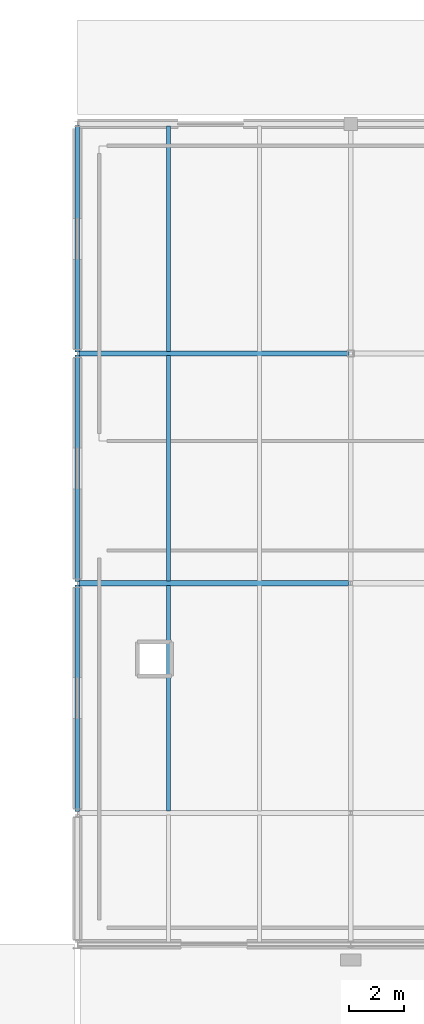
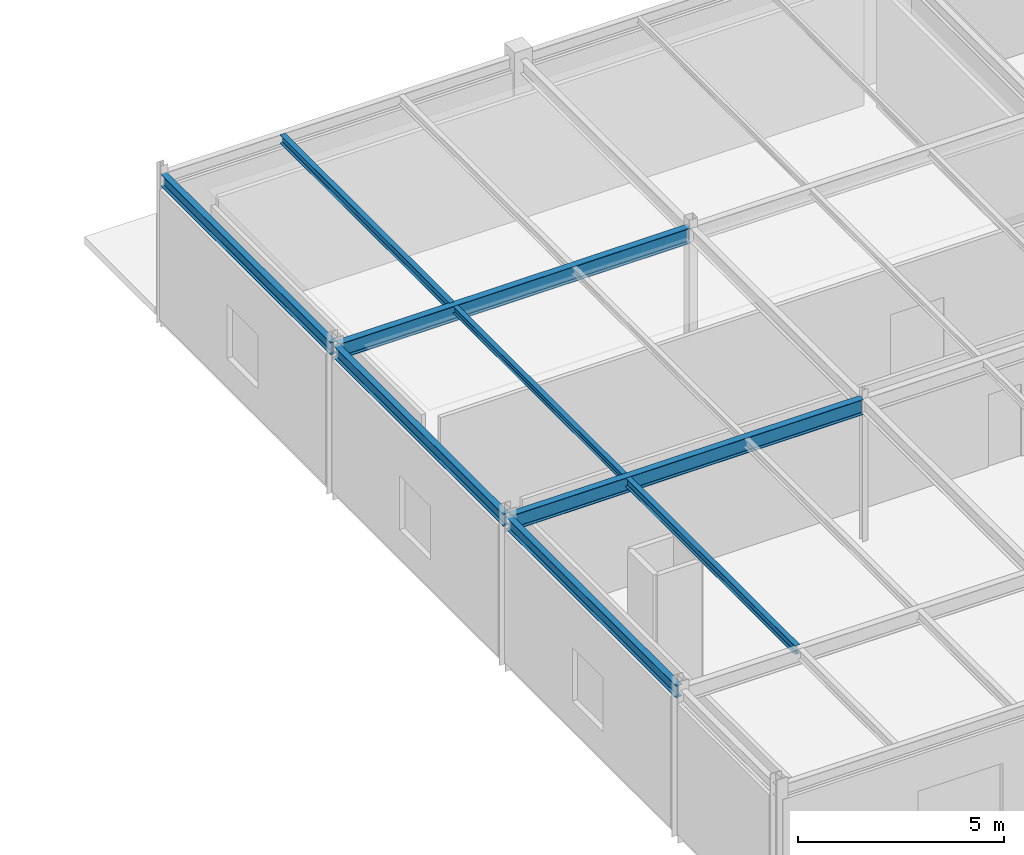
# One storey, part 59 of 119: 8 beams.
"""IFC4 building model written with IfcOpenShell, lengths in metres."""

from ifc_helpers import new_model, si_unit, derived_unit, direction, frame, origin, origin_2d_with_axis, place, context, subcontext, project, spatial, i_section, extrude, material, material_profile, profile_set, type_object, element, save


model = new_model("IFC4")

# Units and contexts
model_context = context("Model", 3, precision=1e-05, world=origin(), true_north=direction((0.0, 1.0)))
body_context = subcontext(model_context, "Body", "Model", "MODEL_VIEW")
ifc_project = project(units=[si_unit("LENGTHUNIT", "METRE"), si_unit("AREAUNIT", "SQUARE_METRE"), si_unit("VOLUMEUNIT", "CUBIC_METRE"), si_unit("PLANEANGLEUNIT", "RADIAN"), si_unit("MASSUNIT", "GRAM", prefix="KILO"), derived_unit("THERMALTRANSMITTANCEUNIT", [(si_unit("POWERUNIT", "WATT"), 1), (si_unit("LENGTHUNIT", "METRE"), -2), (si_unit("THERMODYNAMICTEMPERATUREUNIT", "KELVIN"), -1)])], contexts=[model_context])

# Site, building, storey
site_placement = place(None, origin())
site = spatial("IfcSite", under=ifc_project, at=site_placement, CompositionType="ELEMENT")
building_placement = place(site_placement, origin())
building = spatial("IfcBuilding", under=site, at=building_placement, Name="Cinnabar Yard Market Hall", CompositionType="ELEMENT")
storey_placement = place(building_placement, origin())
storey = spatial("IfcBuildingStorey", under=building, at=storey_placement, Name="L00", CompositionType="ELEMENT", Elevation=0.0)

# Beams
ifc_material = material(Name="Steel Grade 300 (300 MPa)", Category="steel")
ifc_material_profile_1 = material_profile(ifc_material, i_section(OverallWidth=0.18994140625, OverallDepth=0.453857421875, WebThickness=0.008544921875, FlangeThickness=0.0126953125, FilletRadius=0.011474609375, at=origin_2d_with_axis()), Name="460UB67.1")
ifc_profile_set_1 = profile_set([ifc_material_profile_1], Name="Steel Grade 300 (300 MPa)")
beam_type_1 = type_object("IfcBeamType", Name="BM-B05", PredefinedType="BEAM", material=ifc_profile_set_1)
for number, where, z_axis, x_axis, name in (
    (1, (66.06005859375, 121.199951171875, 4.01318359375), (1.0, 0.0, 0.0), (0.0, 1.0, 0.0), "V3 L00 Girder X 00861"),
    (2, (66.06005859375, 129.60009765625, 4.01318359375), (1.0, 0.0, 0.0), (0.0, 1.0, 0.0), "V3 L00 Girder X 00862"),
):
    element("IfcBeam", number, at=place(storey_placement, frame(where, z_axis=z_axis, x_axis=x_axis)), inside=storey, type_object=beam_type_1, Name=name, PredefinedType="BEAM", context=body_context, shape_type="SweptSolid", body=[
        extrude(i_section(OverallWidth=0.18994140625, OverallDepth=0.453857421875, WebThickness=0.008544921875, FlangeThickness=0.0126953125, FilletRadius=0.011474609375, at=origin_2d_with_axis()), origin(), (0.0, 0.0, 1.0), 9.8798828125),
    ])
ifc_material_profile_2 = material_profile(ifc_material, i_section(OverallWidth=0.14599609375, OverallDepth=0.256103515625, WebThickness=0.00634765625, FlangeThickness=0.010986328125, FilletRadius=0.0087890625, at=origin_2d_with_axis()), Name="250UB37.3")
ifc_profile_set_2 = profile_set([ifc_material_profile_2], Name="Steel Grade 300 (300 MPa)")
beam_type_2 = type_object("IfcBeamType", Name="BM-J03", PredefinedType="JOIST", material=ifc_profile_set_2)
beam_1_placement = place(storey_placement, frame((69.333251953125, 112.875, 4.11181640625), z_axis=(0.0, 1.0, 0.0), x_axis=(-1.0, 0.0, 0.0)))
element("IfcBeam", 3, at=beam_1_placement, inside=storey, type_object=beam_type_2, Name="V3 L00 Joist 00954", PredefinedType="JOIST", context=body_context, shape_type="SweptSolid", body=[
    extrude(i_section(OverallWidth=0.14599609375, OverallDepth=0.256103515625, WebThickness=0.00634765625, FlangeThickness=0.010986328125, FilletRadius=0.0087890625, at=origin_2d_with_axis()), origin(), (0.0, 0.0, 1.0), 8.25),
])
ifc_material_profile_3 = material_profile(ifc_material, i_section(OverallWidth=0.134033203125, OverallDepth=0.20703125, WebThickness=0.00634765625, FlangeThickness=0.009521484375, FilletRadius=0.0087890625, at=origin_2d_with_axis()), Name="200UB29.8")
ifc_profile_set_3 = profile_set([ifc_material_profile_3], Name="Steel Grade 300 (300 MPa)")
beam_type_3 = type_object("IfcBeamType", Name="BM-J04", PredefinedType="JOIST", material=ifc_profile_set_3)
beam_2_placement = place(storey_placement, frame((69.333251953125, 121.27490234375, 4.136474609375), z_axis=(0.0, 1.0, 0.0), x_axis=(-1.0, 0.0, 0.0)))
element("IfcBeam", 4, at=beam_2_placement, inside=storey, type_object=beam_type_3, Name="V3 L00 Joist 00955", PredefinedType="JOIST", context=body_context, shape_type="SweptSolid", body=[
    extrude(i_section(OverallWidth=0.134033203125, OverallDepth=0.20703125, WebThickness=0.00634765625, FlangeThickness=0.009521484375, FilletRadius=0.0087890625, at=origin_2d_with_axis()), origin(), (0.0, 0.0, 1.0), 8.25),
])
ifc_material_profile_4 = material_profile(ifc_material, i_section(OverallWidth=0.14599609375, OverallDepth=0.251708984375, WebThickness=0.006103515625, FlangeThickness=0.008544921875, FilletRadius=0.0087890625, at=origin_2d_with_axis()), Name="250UB31.4")
ifc_profile_set_4 = profile_set([ifc_material_profile_4], Name="Steel Grade 300 (300 MPa)")
beam_type_4 = type_object("IfcBeamType", Name="BM-J05", PredefinedType="JOIST", material=ifc_profile_set_4)
beam_3_placement = place(storey_placement, frame((69.333251953125, 129.675048828125, 4.1142578125), z_axis=(0.0, 1.0, 0.0), x_axis=(-1.0, 0.0, 0.0)))
element("IfcBeam", 5, at=beam_3_placement, inside=storey, type_object=beam_type_4, Name="V3 L00 Joist 00956", PredefinedType="JOIST", context=body_context, shape_type="SweptSolid", body=[
    extrude(i_section(OverallWidth=0.14599609375, OverallDepth=0.251708984375, WebThickness=0.006103515625, FlangeThickness=0.008544921875, FilletRadius=0.0087890625, at=origin_2d_with_axis()), origin(), (0.0, 0.0, 1.0), 8.25),
])
ifc_material_profile_5 = material_profile(ifc_material, i_section(OverallWidth=0.172119140625, OverallDepth=0.358642578125, WebThickness=0.008056640625, FlangeThickness=0.012939453125, FilletRadius=0.011474609375, at=origin_2d_with_axis()), Name="360UB56.7")
ifc_profile_set_5 = profile_set([ifc_material_profile_5], Name="Steel Grade 300 (300 MPa)")
beam_type_5 = type_object("IfcBeamType", Name="BM-SP02E", PredefinedType="SPANDREL", material=ifc_profile_set_5)
beam_4_placement = place(storey_placement, frame((66.0, 112.860107421875, 4.060791015625), z_axis=(0.0, 1.0, 0.0), x_axis=(-1.0, 0.0, 0.0)))
element("IfcBeam", 6, at=beam_4_placement, inside=storey, type_object=beam_type_5, Name="V3 L00 Girder Y 00910", PredefinedType="SPANDREL", context=body_context, shape_type="SweptSolid", body=[
    extrude(i_section(OverallWidth=0.172119140625, OverallDepth=0.358642578125, WebThickness=0.008056640625, FlangeThickness=0.012939453125, FilletRadius=0.011474609375, at=origin_2d_with_axis()), origin(), (0.0, 0.0, 1.0), 8.27978515625),
])
for number, where, z_axis, x_axis, name in (
    (7, (66.0, 121.260009765625, 4.060791015625), (0.0, 1.0, 0.0), (-1.0, 0.0, 0.0), "V3 L00 Girder Y 00911"),
    (8, (66.0, 129.659912109375, 4.060791015625), (0.0, 1.0, 0.0), (-1.0, 0.0, 0.0), "V3 L00 Girder Y 00912"),
):
    element("IfcBeam", number, at=place(storey_placement, frame(where, z_axis=z_axis, x_axis=x_axis)), inside=storey, type_object=beam_type_5, Name=name, PredefinedType="SPANDREL", context=body_context, shape_type="SweptSolid", body=[
        extrude(i_section(OverallWidth=0.172119140625, OverallDepth=0.358642578125, WebThickness=0.008056640625, FlangeThickness=0.012939453125, FilletRadius=0.011474609375, at=origin_2d_with_axis()), origin(), (0.0, 0.0, 1.0), 8.280029296875),
    ])

save(model, "model.ifc")
